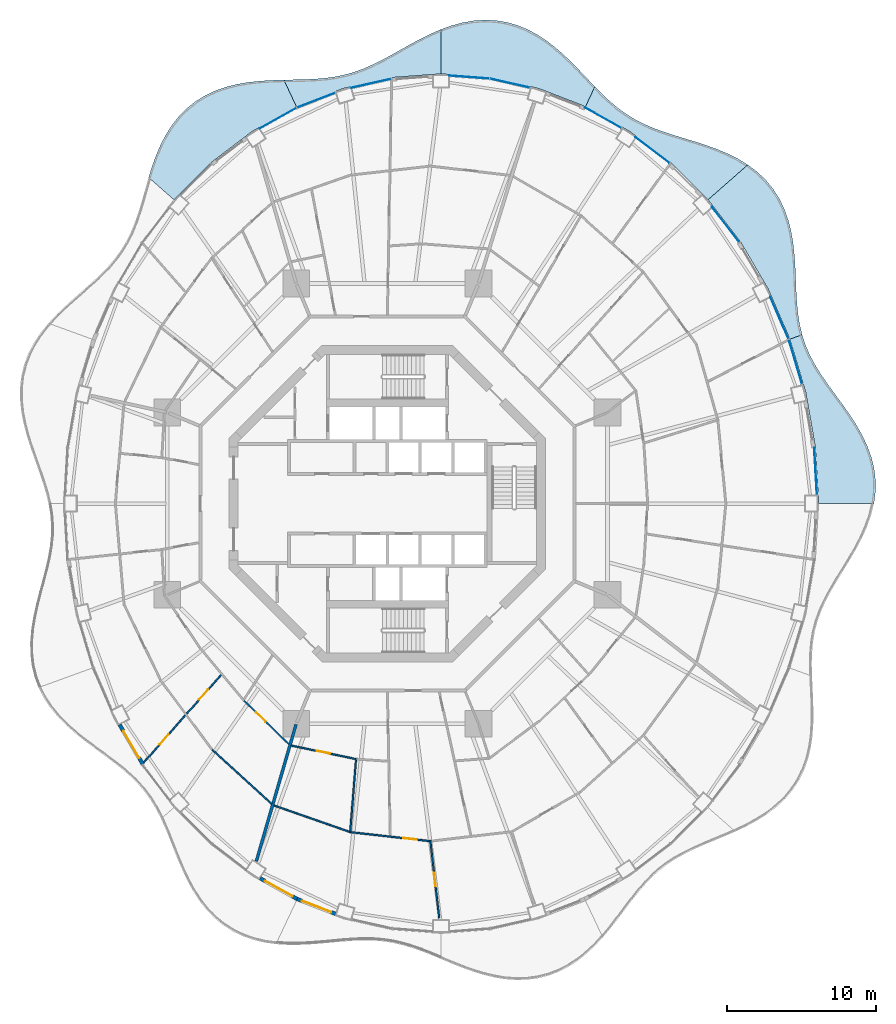
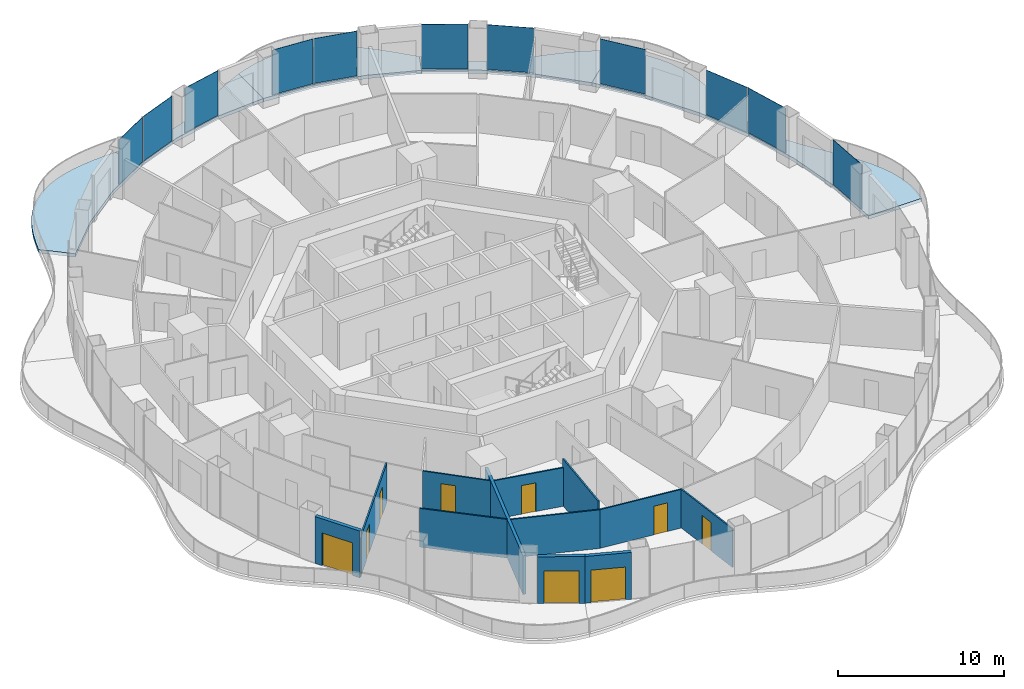
# One storey, part 10 of 19: 12 walls, 11 plates, 9 doors, 6 slabs, 9 openings, 11 elements without a shape of their own.
"""IFC4 building model written with IfcOpenShell, lengths in metres."""

from ifc_helpers import new_model, si_unit, direction, frame, frame_2d, origin, origin_2d, place, context, subcontext, project, spatial, polyline, rectangle, outline, extrude, material, layer, layer_set, type_object, element, fill, aggregate, save


model = new_model("IFC4")

# Units and contexts
model_context = context("Model", 3, precision=1e-05, world=origin(), true_north=direction((0.0, 1.0)))
body_context = subcontext(model_context, "Body", "Model", "MODEL_VIEW")
ifc_project = project(units=[si_unit("LENGTHUNIT", "METRE"), si_unit("AREAUNIT", "SQUARE_METRE"), si_unit("VOLUMEUNIT", "CUBIC_METRE"), si_unit("PLANEANGLEUNIT", "RADIAN"), si_unit("MASSUNIT", "GRAM", prefix="KILO")], contexts=[model_context])

# Site, building, storey
site_placement = place(None, origin())
site = spatial("IfcSite", under=ifc_project, at=site_placement, CompositionType="ELEMENT")
building_placement = place(site_placement, origin())
building = spatial("IfcBuilding", under=site, at=building_placement, Name="Nagisa Residences", CompositionType="ELEMENT")
storey_placement = place(building_placement, frame((0.0, 0.0, 184.39990234375)))
storey = spatial("IfcBuildingStorey", under=building, at=storey_placement, Name="L46", CompositionType="ELEMENT", Elevation=184.39990234375)

# Slabs
ifc_material_1 = material(Name="Concrete C40/50", Category="concrete")
ifc_layer_1 = layer(ifc_material_1, 0.25)
ifc_layer_set_1 = layer_set([ifc_layer_1], Name="BALCONY SLAB 250")
slab_type = type_object("IfcSlabType", Name="BALCONY SLAB 250", PredefinedType="FLOOR", material=ifc_layer_set_1)
slab_1_placement = place(storey_placement, frame((0.0, 0.0, -0.25)))
element("IfcSlab", 1, at=slab_1_placement, inside=storey, type_object=slab_type, Name="slab:L46:bal00", PredefinedType="FLOOR", context=body_context, shape_type="SweptSolid", body=[
    extrude(outline(polyline([(32.6845703125, 0.0), (32.785888671875, 0.78662109375), (32.79052734375, 1.573974609375), (32.697021484375, 2.35693359375), (32.508544921875, 3.129638671875), (32.232421875, 3.88818359375), (31.880615234375, 4.62841796875), (31.467529296875, 5.348388671875), (31.010986328125, 6.0478515625), (30.529541015625, 6.72802734375), (30.04248046875, 7.39208984375), (29.568359375, 8.044189453125), (29.123291015625, 8.690185546875), (28.721923828125, 9.3369140625), (28.3740234375, 9.990966796875), (28.0859375, 10.6591796875), (27.85986328125, 11.34716796875), (27.04345703125, 11.050048828125), (28.1103515625, 7.473388671875), (28.7578125, 3.76904296875), (28.97509765625, 0.0), (32.6845703125, 0.0)])), origin(), (0.0, 0.0, 1.0), 0.25),
])
slab_2_placement = place(storey_placement, frame((0.0, 0.0, -0.25)))
element("IfcSlab", 2, at=slab_2_placement, inside=storey, type_object=slab_type, Name="slab:L46:bal01", PredefinedType="FLOOR", context=body_context, shape_type="SweptSolid", body=[
    extrude(outline(polyline([(27.85986328125, 11.34716796875), (27.697509765625, 12.037109375), (27.584716796875, 12.75244140625), (27.511962890625, 13.493896484375), (27.466796875, 14.260009765625), (27.434814453125, 15.047119140625), (27.400390625, 15.849609375), (27.34765625, 16.660400390625), (27.2607421875, 17.47021484375), (27.125732421875, 18.26904296875), (26.930419921875, 19.046630859375), (26.665771484375, 19.792236328125), (26.325439453125, 20.49658203125), (25.9072265625, 21.151123046875), (25.412109375, 21.74951171875), (24.8447265625, 22.287353515625), (24.212646484375, 22.763916015625), (21.542724609375, 20.417724609375), (23.7314453125, 17.577880859375), (25.575439453125, 14.4375), (27.04345703125, 11.050048828125), (27.85986328125, 11.34716796875)])), origin(), (0.0, 0.0, 1.0), 0.25),
])
slab_3_placement = place(storey_placement, frame((0.0, 0.0, -0.25)))
element("IfcSlab", 3, at=slab_3_placement, inside=storey, type_object=slab_type, Name="slab:L46:bal02", PredefinedType="FLOOR", context=body_context, shape_type="SweptSolid", body=[
    extrude(outline(polyline([(24.212646484375, 22.763916015625), (23.55908203125, 23.161865234375), (22.86669921875, 23.50927734375), (22.146484375, 23.811767578125), (21.41064453125, 24.077880859375), (20.670654296875, 24.317138671875), (19.937255859375, 24.540771484375), (19.219482421875, 24.760498046875), (18.525146484375, 24.98779296875), (17.85888671875, 25.233642578125), (17.22412109375, 25.508056640625), (16.620849609375, 25.819091796875), (16.046875, 26.171630859375), (15.498291015625, 26.569091796875), (14.969482421875, 27.01123046875), (14.45263671875, 27.494384765625), (13.93994140625, 28.012451171875), (13.310546875, 26.677001953125), (16.28759765625, 25.006591796875), (19.04736328125, 22.907958984375), (21.542724609375, 20.417724609375), (24.212646484375, 22.763916015625)])), origin(), (0.0, 0.0, 1.0), 0.25),
])
slab_4_placement = place(storey_placement, frame((0.0, 0.0, -0.25)))
element("IfcSlab", 4, at=slab_4_placement, inside=storey, type_object=slab_type, Name="slab:L46:bal03", PredefinedType="FLOOR", context=body_context, shape_type="SweptSolid", body=[
    extrude(outline(polyline([(13.93994140625, 28.012451171875), (13.4423828125, 28.536376953125), (12.933837890625, 29.07373046875), (12.407958984375, 29.61279296875), (11.859375, 30.14013671875), (11.284423828125, 30.642578125), (10.6806640625, 31.106201171875), (10.04736328125, 31.5185546875), (9.3857421875, 31.8681640625), (8.6982421875, 32.14599609375), (7.989501953125, 32.3447265625), (7.26416015625, 32.46044921875), (6.528076171875, 32.491943359375), (5.7880859375, 32.44140625), (5.049560546875, 32.313232421875), (4.318603515625, 32.11572265625), (3.60009765625, 31.85888671875), (3.60009765625, 28.875), (6.912109375, 28.6279296875), (10.16748046875, 27.89111328125), (13.310546875, 26.677001953125), (13.93994140625, 28.012451171875)])), origin(), (0.0, 0.0, 1.0), 0.25),
])
slab_5_placement = place(storey_placement, frame((0.0, 0.0, -0.25)))
element("IfcSlab", 5, at=slab_5_placement, inside=storey, type_object=slab_type, Name="slab:L46:bal04", PredefinedType="FLOOR", context=body_context, shape_type="SweptSolid", body=[
    extrude(outline(polyline([(3.60009765625, 31.85888671875), (2.89697265625, 31.5546875), (2.212158203125, 31.216552734375), (1.5458984375, 30.858642578125), (0.897216796875, 30.4951171875), (0.263916015625, 30.13916015625), (-0.357666015625, 29.802978515625), (-0.97216796875, 29.496826171875), (-1.5849609375, 29.228515625), (-2.201416015625, 29.003173828125), (-2.826904296875, 28.822998046875), (-3.46630859375, 28.6875), (-4.12353515625, 28.5927734375), (-4.80078125, 28.532470703125), (-5.4990234375, 28.49853515625), (-6.217529296875, 28.480224609375), (-6.95361328125, 28.4658203125), (-6.110595703125, 26.677001953125), (-2.967529296875, 27.89111328125), (0.287841796875, 28.6279296875), (3.60009765625, 28.875), (3.60009765625, 31.85888671875)])), origin(), (0.0, 0.0, 1.0), 0.25),
])
slab_6_placement = place(storey_placement, frame((0.0, 0.0, -0.25)))
element("IfcSlab", 6, at=slab_6_placement, inside=storey, type_object=slab_type, Name="slab:L46:bal05", PredefinedType="FLOOR", context=body_context, shape_type="SweptSolid", body=[
    extrude(outline(polyline([(-6.95361328125, 28.4658203125), (-7.731201171875, 28.44189453125), (-8.516357421875, 28.395263671875), (-9.300537109375, 28.312744140625), (-10.074951171875, 28.182373046875), (-10.829833984375, 27.99462890625), (-11.554931640625, 27.741455078125), (-12.241455078125, 27.418701171875), (-12.88134765625, 27.02392578125), (-13.468017578125, 26.558837890625), (-13.9970703125, 26.02685546875), (-14.467041015625, 25.4345703125), (-14.87841796875, 24.790283203125), (-15.234619140625, 24.1044921875), (-15.54150390625, 23.38818359375), (-15.806884765625, 22.65283203125), (-16.041259765625, 21.910400390625), (-14.3427734375, 20.417724609375), (-11.847412109375, 22.907958984375), (-9.08740234375, 25.006591796875), (-6.110595703125, 26.677001953125), (-6.95361328125, 28.4658203125)])), origin(), (0.0, 0.0, 1.0), 0.25),
])

# Curtain wall, plate
ifc_material_2 = material(Name="Concrete-coloured aluminium curtain wall system", Category="concrete")
ifc_layer_2 = layer(ifc_material_2, 0.159912109375)
ifc_layer_set_2 = layer_set([ifc_layer_2], Name="CW1 CURTAIN WALL")
curtain_wall_type = type_object("IfcCurtainWallType", Name="CW1 CURTAIN WALL", PredefinedType="NOTDEFINED", material=ifc_layer_set_2)
curtain_wall_1_placement = place(storey_placement, origin())
curtain_wall_1 = element("IfcCurtainWall", 7, at=curtain_wall_1_placement, inside=storey, type_object=curtain_wall_type, Name="cw:CW1:L46:00", PredefinedType="NOTDEFINED")
ifc_material_3 = material(Name="Clear laminated glass", Category="glass")
ifc_layer_3 = layer(ifc_material_3, 0.028076171875)
ifc_layer_set_3 = layer_set([ifc_layer_3], Name="CW1 GLASS PANEL")
plate_type = type_object("IfcPlateType", Name="CW1 GLASS PANEL", PredefinedType="CURTAIN_PANEL", material=ifc_layer_set_3)
plate_1_placement = place(storey_placement, frame((28.76904296875, 2.184326171875, 0.150146484375), z_axis=(0.0, 0.0, 1.0), x_axis=(-0.057503492216, 0.998345305184, 0.0)))
plate_1 = element("IfcPlate", 8, at=plate_1_placement, type_object=plate_type, Name="CW1 panel", PredefinedType="CURTAIN_PANEL", context=body_context, shape_type="SweptSolid", body=[
    extrude(rectangle(XDim=3.165283203125, YDim=0.028076171875, at=origin_2d()), origin(), (0.0, 0.0, 1.0), 3.2900390625),
])
aggregate(curtain_wall_1, [plate_1])

curtain_wall_2_placement = place(storey_placement, origin())
curtain_wall_2 = element("IfcCurtainWall", 9, at=curtain_wall_2_placement, inside=storey, type_object=curtain_wall_type, Name="cw:CW1:L46:02", PredefinedType="NOTDEFINED")
plate_2_placement = place(storey_placement, frame((27.4130859375, 9.531005859375, 0.150146484375), z_axis=(0.0, 0.0, 1.0), x_axis=(-0.285860274038, 0.958271310082, 0.0)))
plate_2 = element("IfcPlate", 10, at=plate_2_placement, type_object=plate_type, Name="CW1 panel", PredefinedType="CURTAIN_PANEL", context=body_context, shape_type="SweptSolid", body=[
    extrude(rectangle(XDim=3.122314453125, YDim=0.028076171875, at=origin_2d()), origin(), (0.0, 0.0, 1.0), 3.2900390625),
])
aggregate(curtain_wall_2, [plate_2])

curtain_wall_3_placement = place(storey_placement, origin())
curtain_wall_3 = element("IfcCurtainWall", 11, at=curtain_wall_3_placement, inside=storey, type_object=curtain_wall_type, Name="cw:CW1:L46:03", PredefinedType="NOTDEFINED")
plate_3_placement = place(storey_placement, frame((26.33349609375, 12.487060546875, 0.150146484375), z_axis=(0.0, 0.0, 1.0), x_axis=(-0.397635934147, 0.917543276295, 0.0)))
plate_3 = element("IfcPlate", 12, at=plate_3_placement, type_object=plate_type, Name="CW1 panel", PredefinedType="CURTAIN_PANEL", context=body_context, shape_type="SweptSolid", body=[
    extrude(rectangle(XDim=3.08203125, YDim=0.028076171875, at=origin_2d()), origin(), (0.0, 0.0, 1.0), 3.2900390625),
])
aggregate(curtain_wall_3, [plate_3])

curtain_wall_4_placement = place(storey_placement, origin())
curtain_wall_4 = element("IfcCurtainWall", 13, at=curtain_wall_4_placement, inside=storey, type_object=curtain_wall_type, Name="cw:CW1:L46:05", PredefinedType="NOTDEFINED")
plate_4_placement = place(storey_placement, frame((22.723388671875, 18.7548828125, 0.150146484375), z_axis=(0.0, 0.0, 1.0), x_axis=(-0.610429828235, 0.792070340816, 0.0)))
plate_4 = element("IfcPlate", 14, at=plate_4_placement, type_object=plate_type, Name="CW1 panel", PredefinedType="CURTAIN_PANEL", context=body_context, shape_type="SweptSolid", body=[
    extrude(rectangle(XDim=2.97509765625, YDim=0.028076171875, at=origin_2d()), origin(), (0.0, 0.0, 1.0), 3.2900390625),
])
aggregate(curtain_wall_4, [plate_4])

curtain_wall_5_placement = place(storey_placement, origin())
curtain_wall_5 = element("IfcCurtainWall", 15, at=curtain_wall_5_placement, inside=storey, type_object=curtain_wall_type, Name="cw:CW1:L46:07", PredefinedType="NOTDEFINED")
plate_5_placement = place(storey_placement, frame((17.81396484375, 23.745361328125, 0.150146484375), z_axis=(0.0, 0.0, 1.0), x_axis=(-0.79603132756, 0.605255421737, 0.0)))
plate_5 = element("IfcPlate", 16, at=plate_5_placement, type_object=plate_type, Name="CW1 panel", PredefinedType="CURTAIN_PANEL", context=body_context, shape_type="SweptSolid", body=[
    extrude(rectangle(XDim=2.85693359375, YDim=0.028076171875, at=origin_2d()), origin(), (0.0, 0.0, 1.0), 3.2900390625),
])
aggregate(curtain_wall_5, [plate_5])

curtain_wall_6_placement = place(storey_placement, origin())
curtain_wall_6 = element("IfcCurtainWall", 17, at=curtain_wall_6_placement, inside=storey, type_object=curtain_wall_type, Name="cw:CW1:L46:08", PredefinedType="NOTDEFINED")
plate_6_placement = place(storey_placement, frame((14.493896484375, 25.921142578125, 0.150146484375), z_axis=(0.0, 0.0, 1.0), x_axis=(-0.872072377523, 0.489376918501, 0.0)))
plate_6 = element("IfcPlate", 18, at=plate_6_placement, type_object=plate_type, Name="CW1 panel", PredefinedType="CURTAIN_PANEL", context=body_context, shape_type="SweptSolid", body=[
    extrude(rectangle(XDim=2.8037109375, YDim=0.028076171875, at=origin_2d()), origin(), (0.0, 0.0, 1.0), 3.2900390625),
])
aggregate(curtain_wall_6, [plate_6])

curtain_wall_7_placement = place(storey_placement, origin())
curtain_wall_7 = element("IfcCurtainWall", 19, at=curtain_wall_7_placement, inside=storey, type_object=curtain_wall_type, Name="cw:CW1:L46:10", PredefinedType="NOTDEFINED")
plate_7_placement = place(storey_placement, frame((8.224609375, 28.248779296875, 0.150146484375), z_axis=(0.0, 0.0, 1.0), x_axis=(-0.975327274089, 0.2207639201, 0.0)))
plate_7 = element("IfcPlate", 20, at=plate_7_placement, type_object=plate_type, Name="CW1 panel", PredefinedType="CURTAIN_PANEL", context=body_context, shape_type="SweptSolid", body=[
    extrude(rectangle(XDim=2.727783203125, YDim=0.028076171875, at=origin_2d()), origin(), (0.0, 0.0, 1.0), 3.2900390625),
])
aggregate(curtain_wall_7, [plate_7])

curtain_wall_8_placement = place(storey_placement, origin())
curtain_wall_8 = element("IfcCurtainWall", 21, at=curtain_wall_8_placement, inside=storey, type_object=curtain_wall_type, Name="cw:CW1:L46:11", PredefinedType="NOTDEFINED")
plate_8_placement = place(storey_placement, frame((5.494384765625, 28.653564453125, 0.150146484375), z_axis=(0.0, 0.0, 1.0), x_axis=(-0.997230168512, 0.074377355493, 0.0)))
plate_8 = element("IfcPlate", 22, at=plate_8_placement, type_object=plate_type, Name="CW1 panel", PredefinedType="CURTAIN_PANEL", context=body_context, shape_type="SweptSolid", body=[
    extrude(rectangle(XDim=2.711181640625, YDim=0.028076171875, at=origin_2d()), origin(), (0.0, 0.0, 1.0), 3.2900390625),
])
aggregate(curtain_wall_8, [plate_8])

curtain_wall_9_placement = place(storey_placement, origin())
curtain_wall_9 = element("IfcCurtainWall", 23, at=curtain_wall_9_placement, inside=storey, type_object=curtain_wall_type, Name="cw:CW1:L46:13", PredefinedType="NOTDEFINED")
plate_9_placement = place(storey_placement, frame((-1.083251953125, 28.235595703125, 0.150146484375), z_axis=(0.0, 0.0, 1.0), x_axis=(-0.975327274089, -0.2207639201, 0.0)))
plate_9 = element("IfcPlate", 24, at=plate_9_placement, type_object=plate_type, Name="CW1 panel", PredefinedType="CURTAIN_PANEL", context=body_context, shape_type="SweptSolid", body=[
    extrude(rectangle(XDim=2.727783203125, YDim=0.028076171875, at=origin_2d()), origin(), (0.0, 0.0, 1.0), 3.2900390625),
])
aggregate(curtain_wall_9, [plate_9])

curtain_wall_10_placement = place(storey_placement, origin())
curtain_wall_10 = element("IfcCurtainWall", 25, at=curtain_wall_10_placement, inside=storey, type_object=curtain_wall_type, Name="cw:CW1:L46:14", PredefinedType="NOTDEFINED")
plate_10_placement = place(storey_placement, frame((-4.794677734375, 27.099609375, 0.150146484375), z_axis=(0.0, 0.0, 1.0), x_axis=(-0.932825759707, -0.360327770268, 0.0)))
plate_10 = element("IfcPlate", 26, at=plate_10_placement, type_object=plate_type, Name="CW1 panel", PredefinedType="CURTAIN_PANEL", context=body_context, shape_type="SweptSolid", body=[
    extrude(rectangle(XDim=2.75927734375, YDim=0.028076171875, at=origin_2d()), origin(), (0.0, 0.0, 1.0), 3.2900390625),
])
aggregate(curtain_wall_10, [plate_10])

curtain_wall_11_placement = place(storey_placement, origin())
curtain_wall_11 = element("IfcCurtainWall", 27, at=curtain_wall_11_placement, inside=storey, type_object=curtain_wall_type, Name="cw:CW1:L46:15", PredefinedType="NOTDEFINED")
plate_11_placement = place(storey_placement, frame((-7.34619140625, 25.891845703125, 0.150146484375), z_axis=(0.0, 0.0, 1.0), x_axis=(-0.872072377523, -0.489376918501, 0.0)))
plate_11 = element("IfcPlate", 28, at=plate_11_placement, type_object=plate_type, Name="CW1 panel", PredefinedType="CURTAIN_PANEL", context=body_context, shape_type="SweptSolid", body=[
    extrude(rectangle(XDim=2.8037109375, YDim=0.028076171875, at=origin_2d()), origin(), (0.0, 0.0, 1.0), 3.2900390625),
])
aggregate(curtain_wall_11, [plate_11])

# Wall
ifc_material_4 = material(Name="Gypsum board on steel studs", Category="steel")
ifc_layer_4 = layer(ifc_material_4, 0.199951171875)
ifc_layer_set_4 = layer_set([ifc_layer_4], Name="Apartment compartment wall EI60 200")
wall_type_1 = type_object("IfcWallType", Name="Apartment compartment wall EI60 200", PredefinedType="PARTITIONING", material=ifc_layer_set_4)
wall_1_placement = place(storey_placement, frame((-6.136962890625, -14.830078125, 0.0), z_axis=(0.0, 0.0, 1.0), x_axis=(-0.278461169897, -0.96044748782, 0.0)))
element("IfcWall", 29, at=wall_1_placement, inside=storey, type_object=wall_type_1, Name="wall:L46:u07", PredefinedType="PARTITIONING", context=body_context, shape_type="SweptSolid", body=[
    extrude(rectangle(XDim=9.5732421875, YDim=0.199951171875, at=frame_2d((4.78662109375, 0.0))), origin(), (0.0, 0.0, 1.0), 2.837158203125),
])

# Wall, openings, doors
ifc_material_5 = material(Name="Gypsum board on steel studs", Category="steel")
ifc_layer_5 = layer(ifc_material_5, 0.10009765625)
ifc_layer_set_5 = layer_set([ifc_layer_5], Name="Apartment partition 100")
wall_type_2 = type_object("IfcWallType", Name="Apartment partition 100", PredefinedType="PARTITIONING", material=ifc_layer_set_5)
wall_2_placement = place(storey_placement, frame((-11.16015625, -11.485107421875, 0.0), z_axis=(0.0, 0.0, 1.0), x_axis=(-0.661275898802, -0.750142776852, 0.0)))
wall_2 = element("IfcWall", 30, at=wall_2_placement, inside=storey, type_object=wall_type_2, Name="wall:L46:u68", PredefinedType="PARTITIONING", context=body_context, shape_type="SweptSolid", body=[
    extrude(rectangle(XDim=8.08251953125, YDim=0.10009765625, at=frame_2d((4.041259765625, 0.0))), origin(), (0.0, 0.0, 1.0), 2.905029296875),
])
opening_1_placement = place(wall_2_placement, frame((1.34130859375, 0.0, 0.0)))
opening_1 = element("IfcOpeningElement", 31, at=opening_1_placement, cuts=wall_2, Name="Opening L46-U14", PredefinedType="OPENING", context=body_context, shape_type="SweptSolid", body=[
    extrude(rectangle(XDim=0.89990234375, YDim=2.10009765625, at=frame_2d((0.449951171875, 1.050048828125))), frame((0.0, 0.06005859375, 0.0), z_axis=(0.0, -1.0, 0.0), x_axis=(1.0, 0.0, 0.0)), (0.0, 0.0, 1.0), 0.1201171875),
])
opening_2_placement = place(wall_2_placement, frame((5.38232421875, 0.0, 0.0)))
opening_2 = element("IfcOpeningElement", 32, at=opening_2_placement, cuts=wall_2, Name="Opening L46-U17", PredefinedType="OPENING", context=body_context, shape_type="SweptSolid", body=[
    extrude(rectangle(XDim=0.89990234375, YDim=2.10009765625, at=frame_2d((0.449951171875, 1.050048828125))), frame((0.0, 0.06005859375, 0.0), z_axis=(0.0, -1.0, 0.0), x_axis=(1.0, 0.0, 0.0)), (0.0, 0.0, 1.0), 0.1201171875),
])
ifc_material_6 = material(Name="Timber door set", Category="wood")
door_type_1 = type_object("IfcDoorType", Name="Apartment door 900x2100", OperationType="NOTDEFINED", PredefinedType="DOOR", material=ifc_material_6)
door_1_placement = place(opening_1_placement, origin())
door_1 = element("IfcDoor", 33, at=door_1_placement, inside=storey, type_object=door_type_1, Name="Door to study, Apartment 46B", OperationType="SINGLE_SWING_RIGHT", OverallHeight=2.10009765625, OverallWidth=0.89990234375, PredefinedType="DOOR", context=body_context, shape_type="SweptSolid", body=[
    extrude(rectangle(XDim=0.89990234375, YDim=2.10009765625, at=frame_2d((0.449951171875, 1.050048828125))), frame((0.0, 0.02490234375, 0.0), z_axis=(0.0, -1.0, 0.0), x_axis=(1.0, 0.0, 0.0)), (0.0, 0.0, 1.0), 0.050048828125),
])
fill(opening_1, door_1)
door_2_placement = place(opening_2_placement, origin())
door_2 = element("IfcDoor", 34, at=door_2_placement, inside=storey, type_object=door_type_1, Name="Door to master bedroom, Apartment 46B", OperationType="SINGLE_SWING_LEFT", OverallHeight=2.10009765625, OverallWidth=0.89990234375, PredefinedType="DOOR", context=body_context, shape_type="SweptSolid", body=[
    extrude(rectangle(XDim=0.89990234375, YDim=2.10009765625, at=frame_2d((0.449951171875, 1.050048828125))), frame((0.0, 0.02490234375, 0.0), z_axis=(0.0, -1.0, 0.0), x_axis=(1.0, 0.0, 0.0)), (0.0, 0.0, 1.0), 0.050048828125),
])
fill(opening_2, door_2)

# Wall, opening, door
wall_3_placement = place(storey_placement, frame((-9.62744140625, -13.238037109375, 0.0), z_axis=(0.0, 0.0, 1.0), x_axis=(0.716919058692, -0.697156412352, 0.0)))
wall_3 = element("IfcWall", 35, at=wall_3_placement, inside=storey, type_object=wall_type_2, Name="wall:L46:u70", PredefinedType="PARTITIONING", context=body_context, shape_type="SweptSolid", body=[
    extrude(rectangle(XDim=4.2001953125, YDim=0.10009765625, at=frame_2d((2.10009765625, 0.0))), origin(), (0.0, 0.0, 1.0), 2.837158203125),
])
opening_3_placement = place(wall_3_placement, frame((1.130126953125, 0.0, 0.0)))
opening_3 = element("IfcOpeningElement", 36, at=opening_3_placement, cuts=wall_3, Name="Opening L46-U19", PredefinedType="OPENING", context=body_context, shape_type="SweptSolid", body=[
    extrude(rectangle(XDim=0.89990234375, YDim=2.10009765625, at=frame_2d((0.449951171875, 1.050048828125))), frame((0.0, 0.06005859375, 0.0), z_axis=(0.0, -1.0, 0.0), x_axis=(1.0, 0.0, 0.0)), (0.0, 0.0, 1.0), 0.1201171875),
])
door_3_placement = place(opening_3_placement, origin())
door_3 = element("IfcDoor", 37, at=door_3_placement, inside=storey, type_object=door_type_1, Name="Door to laundry, Apartment 46B", OperationType="SINGLE_SWING_LEFT", OverallHeight=2.10009765625, OverallWidth=0.89990234375, PredefinedType="DOOR", context=body_context, shape_type="SweptSolid", body=[
    extrude(rectangle(XDim=0.89990234375, YDim=2.10009765625, at=frame_2d((0.449951171875, 1.050048828125))), frame((0.0, 0.02490234375, 0.0), z_axis=(0.0, -1.0, 0.0), x_axis=(1.0, 0.0, 0.0)), (0.0, 0.0, 1.0), 0.050048828125),
])
fill(opening_3, door_3)

# Wall
wall_4_placement = place(storey_placement, frame((-11.765625, -16.534912109375, 0.0), z_axis=(0.0, 0.0, 1.0), x_axis=(0.73807320557, -0.674720640872, 0.0)))
element("IfcWall", 38, at=wall_4_placement, inside=storey, type_object=wall_type_2, Name="wall:L46:u71", PredefinedType="PARTITIONING", context=body_context, shape_type="SweptSolid", body=[
    extrude(rectangle(XDim=5.39892578125, YDim=0.10009765625, at=frame_2d((2.699462890625, 0.0))), origin(), (0.0, 0.0, 1.0), 2.837158203125),
])

# Wall, opening, door
wall_5_placement = place(storey_placement, frame((-6.446533203125, -16.25634765625, 0.0), z_axis=(0.0, 0.0, 1.0), x_axis=(0.978906251581, -0.204309937631, 0.0)))
wall_5 = element("IfcWall", 39, at=wall_5_placement, inside=storey, type_object=wall_type_2, Name="wall:L46:u72", PredefinedType="PARTITIONING", context=body_context, shape_type="SweptSolid", body=[
    extrude(rectangle(XDim=4.385498046875, YDim=0.10009765625, at=frame_2d((2.19287109375, 0.0))), origin(), (0.0, 0.0, 1.0), 2.837158203125),
])
opening_4_placement = place(wall_5_placement, frame((1.742919921875, 0.0, 0.0)))
opening_4 = element("IfcOpeningElement", 40, at=opening_4_placement, cuts=wall_5, Name="Opening L46-U23", PredefinedType="OPENING", context=body_context, shape_type="SweptSolid", body=[
    extrude(rectangle(XDim=0.89990234375, YDim=2.10009765625, at=frame_2d((0.449951171875, 1.050048828125))), frame((0.0, 0.06005859375, 0.0), z_axis=(0.0, -1.0, 0.0), x_axis=(1.0, 0.0, 0.0)), (0.0, 0.0, 1.0), 0.1201171875),
])
door_4_placement = place(opening_4_placement, frame((0.89990234375, 0.0, 0.0), x_axis=(-1.0, 0.0, 0.0)))
door_4 = element("IfcDoor", 41, at=door_4_placement, inside=storey, type_object=door_type_1, Name="Door to study, Apartment 46C", OperationType="SINGLE_SWING_RIGHT", OverallHeight=2.10009765625, OverallWidth=0.89990234375, PredefinedType="DOOR", context=body_context, shape_type="SweptSolid", body=[
    extrude(rectangle(XDim=0.89990234375, YDim=2.10009765625, at=frame_2d((0.449951171875, 1.050048828125))), frame((0.0, 0.02490234375, 0.0), z_axis=(0.0, -1.0, 0.0), x_axis=(1.0, 0.0, 0.0)), (0.0, 0.0, 1.0), 0.050048828125),
])
fill(opening_4, door_4)

# Walls
wall_6_placement = place(storey_placement, frame((-7.612548828125, -20.2783203125, 0.0), z_axis=(0.0, 0.0, 1.0), x_axis=(0.943918212431, -0.330179357684, 0.0)))
element("IfcWall", 42, at=wall_6_placement, inside=storey, type_object=wall_type_2, Name="wall:L46:u73", PredefinedType="PARTITIONING", context=body_context, shape_type="SweptSolid", body=[
    extrude(rectangle(XDim=5.46728515625, YDim=0.10009765625, at=frame_2d((2.733642578125, 0.0))), origin(), (0.0, 0.0, 1.0), 2.837158203125),
])
wall_7_placement = place(storey_placement, frame((-2.1005859375, -17.11279296875, 0.0), z_axis=(0.0, 0.0, 1.0), x_axis=(-0.080183022299, -0.996780157776, 0.0)))
element("IfcWall", 43, at=wall_7_placement, inside=storey, type_object=wall_type_2, Name="wall:L46:u74", PredefinedType="PARTITIONING", context=body_context, shape_type="SweptSolid", body=[
    extrude(rectangle(XDim=4.92041015625, YDim=0.10009765625, at=frame_2d((2.460205078125, 0.0))), origin(), (0.0, 0.0, 1.0), 3.440185546875),
])

# Wall, opening, door
wall_8_placement = place(storey_placement, frame((-2.449462890625, -22.07275390625, 0.0), z_axis=(0.0, 0.0, 1.0), x_axis=(0.993660315081, -0.112424099879, 0.0)))
wall_8 = element("IfcWall", 44, at=wall_8_placement, inside=storey, type_object=wall_type_2, Name="wall:L46:u76", PredefinedType="PARTITIONING", context=body_context, shape_type="SweptSolid", body=[
    extrude(rectangle(XDim=5.32470703125, YDim=0.10009765625, at=frame_2d((2.662353515625, 0.0))), origin(), (0.0, 0.0, 1.0), 2.837158203125),
])
opening_5_placement = place(wall_8_placement, frame((3.543701171875, 0.0, 0.0)))
opening_5 = element("IfcOpeningElement", 45, at=opening_5_placement, cuts=wall_8, Name="Opening L46-U27", PredefinedType="OPENING", context=body_context, shape_type="SweptSolid", body=[
    extrude(rectangle(XDim=0.89990234375, YDim=2.10009765625, at=frame_2d((0.449951171875, 1.050048828125))), frame((0.0, 0.06005859375, 0.0), z_axis=(0.0, -1.0, 0.0), x_axis=(1.0, 0.0, 0.0)), (0.0, 0.0, 1.0), 0.1201171875),
])
door_5_placement = place(opening_5_placement, frame((0.89990234375, 0.0, 0.0), x_axis=(-1.0, 0.0, 0.0)))
door_5 = element("IfcDoor", 46, at=door_5_placement, inside=storey, type_object=door_type_1, Name="Door to living room, Apartment 46C", OperationType="SINGLE_SWING_RIGHT", OverallHeight=2.10009765625, OverallWidth=0.89990234375, PredefinedType="DOOR", context=body_context, shape_type="SweptSolid", body=[
    extrude(rectangle(XDim=0.89990234375, YDim=2.10009765625, at=frame_2d((0.449951171875, 1.050048828125))), frame((0.0, 0.02490234375, 0.0), z_axis=(0.0, -1.0, 0.0), x_axis=(1.0, 0.0, 0.0)), (0.0, 0.0, 1.0), 0.050048828125),
])
fill(opening_5, door_5)

wall_9_placement = place(storey_placement, frame((2.885498046875, -22.62744140625, 0.0), z_axis=(0.0, 0.0, 1.0), x_axis=(0.113634556485, -0.993522615531, 0.0)))
wall_9 = element("IfcWall", 47, at=wall_9_placement, inside=storey, type_object=wall_type_2, Name="wall:L46:u78", PredefinedType="PARTITIONING", context=body_context, shape_type="SweptSolid", body=[
    extrude(rectangle(XDim=5.244384765625, YDim=0.10009765625, at=frame_2d((2.6220703125, 0.0))), origin(), (0.0, 0.0, 1.0), 2.837158203125),
])
opening_6_placement = place(wall_9_placement, frame((2.197265625, 0.0, 0.0)))
opening_6 = element("IfcOpeningElement", 48, at=opening_6_placement, cuts=wall_9, Name="Opening L46-U28", PredefinedType="OPENING", context=body_context, shape_type="SweptSolid", body=[
    extrude(rectangle(XDim=0.89990234375, YDim=2.10009765625, at=frame_2d((0.449951171875, 1.050048828125))), frame((0.0, 0.06005859375, 0.0), z_axis=(0.0, -1.0, 0.0), x_axis=(1.0, 0.0, 0.0)), (0.0, 0.0, 1.0), 0.1201171875),
])
door_6_placement = place(opening_6_placement, origin())
door_6 = element("IfcDoor", 49, at=door_6_placement, inside=storey, type_object=door_type_1, Name="Door to bedroom, Apartment 46C", OperationType="SINGLE_SWING_RIGHT", OverallHeight=2.10009765625, OverallWidth=0.89990234375, PredefinedType="DOOR", context=body_context, shape_type="SweptSolid", body=[
    extrude(rectangle(XDim=0.89990234375, YDim=2.10009765625, at=frame_2d((0.449951171875, 1.050048828125))), frame((0.0, 0.02490234375, 0.0), z_axis=(0.0, -1.0, 0.0), x_axis=(1.0, 0.0, 0.0)), (0.0, 0.0, 1.0), 0.050048828125),
])
fill(opening_6, door_6)

ifc_material_7 = material(Name="Precast concrete C40/50", Category="concrete")
ifc_layer_6 = layer(ifc_material_7, 0.25)
ifc_layer_set_6 = layer_set([ifc_layer_6], Name="BALCONY DOOR WALL 250")
wall_type_3 = type_object("IfcWallType", Name="BALCONY DOOR WALL 250", PredefinedType="SOLIDWALL", material=ifc_layer_set_6)
wall_10_placement = place(storey_placement, frame((-16.423583984375, -17.5146484375, 0.0), z_axis=(0.0, 0.0, 1.0), x_axis=(-0.506309086483, 0.862352079458, 0.0)))
wall_10 = element("IfcWall", 50, at=wall_10_placement, inside=storey, type_object=wall_type_3, Name="wall:L46:bay28", PredefinedType="SOLIDWALL", context=body_context, shape_type="SweptSolid", body=[
    extrude(rectangle(XDim=3.091796875, YDim=0.25, at=frame_2d((1.5458984375, 0.0))), origin(), (0.0, 0.0, 1.0), 3.440185546875),
])
opening_7_placement = place(wall_10_placement, frame((0.495849609375, 0.0, 0.0)))
opening_7 = element("IfcOpeningElement", 51, at=opening_7_placement, cuts=wall_10, Name="Opening BD-L46-10", PredefinedType="OPENING", context=body_context, shape_type="SweptSolid", body=[
    extrude(rectangle(XDim=2.10009765625, YDim=2.39990234375, at=frame_2d((1.050048828125, 1.199951171875))), frame((0.0, 0.135009765625, 0.0), z_axis=(0.0, -1.0, 0.0), x_axis=(1.0, 0.0, 0.0)), (0.0, 0.0, 1.0), 0.27001953125),
])
ifc_material_8 = material(Name="Aluminium and clear glass", Category="aluminium")
door_type_2 = type_object("IfcDoorType", Name="BALCONY SLIDING DOOR 2100x2400", OperationType="SLIDING_TO_LEFT", PredefinedType="DOOR", material=ifc_material_8)
door_7_placement = place(opening_7_placement, origin())
door_7 = element("IfcDoor", 52, at=door_7_placement, inside=storey, type_object=door_type_2, Name="door:L46:bay28", OperationType="SLIDING_TO_LEFT", OverallHeight=2.39990234375, OverallWidth=2.10009765625, PredefinedType="DOOR", context=body_context, shape_type="SweptSolid", body=[
    extrude(rectangle(XDim=2.10009765625, YDim=2.39990234375, at=frame_2d((1.050048828125, 1.199951171875))), frame((0.0, 0.02490234375, 0.0), z_axis=(0.0, -1.0, 0.0), x_axis=(1.0, 0.0, 0.0)), (0.0, 0.0, 1.0), 0.050048828125),
])
fill(opening_7, door_7)

wall_11_placement = place(storey_placement, frame((-6.04931640625, -26.568115234375, 0.0), z_axis=(0.0, 0.0, 1.0), x_axis=(-0.872078262455, 0.489366431371, 0.0)))
wall_11 = element("IfcWall", 53, at=wall_11_placement, inside=storey, type_object=wall_type_3, Name="wall:L46:bay32", PredefinedType="SOLIDWALL", context=body_context, shape_type="SweptSolid", body=[
    extrude(rectangle(XDim=2.863525390625, YDim=0.25, at=frame_2d((1.431640625, 0.0))), origin(), (0.0, 0.0, 1.0), 3.440185546875),
])
opening_8_placement = place(wall_11_placement, frame((0.3818359375, 0.0, 0.0)))
opening_8 = element("IfcOpeningElement", 54, at=opening_8_placement, cuts=wall_11, Name="Opening BD-L46-11", PredefinedType="OPENING", context=body_context, shape_type="SweptSolid", body=[
    extrude(rectangle(XDim=2.10009765625, YDim=2.39990234375, at=frame_2d((1.050048828125, 1.199951171875))), frame((0.0, 0.135009765625, 0.0), z_axis=(0.0, -1.0, 0.0), x_axis=(1.0, 0.0, 0.0)), (0.0, 0.0, 1.0), 0.27001953125),
])
door_8_placement = place(opening_8_placement, origin())
door_8 = element("IfcDoor", 55, at=door_8_placement, inside=storey, type_object=door_type_2, Name="door:L46:bay32", OperationType="SLIDING_TO_LEFT", OverallHeight=2.39990234375, OverallWidth=2.10009765625, PredefinedType="DOOR", context=body_context, shape_type="SweptSolid", body=[
    extrude(rectangle(XDim=2.10009765625, YDim=2.39990234375, at=frame_2d((1.050048828125, 1.199951171875))), frame((0.0, 0.02490234375, 0.0), z_axis=(0.0, -1.0, 0.0), x_axis=(1.0, 0.0, 0.0)), (0.0, 0.0, 1.0), 0.050048828125),
])
fill(opening_8, door_8)

wall_12_placement = place(storey_placement, frame((-3.435546875, -27.576416015625, 0.0), z_axis=(0.0, 0.0, 1.0), x_axis=(-0.932795487898, 0.360406128911, 0.0)))
wall_12 = element("IfcWall", 56, at=wall_12_placement, inside=storey, type_object=wall_type_3, Name="wall:L46:bay33", PredefinedType="SOLIDWALL", context=body_context, shape_type="SweptSolid", body=[
    extrude(rectangle(XDim=2.8193359375, YDim=0.25, at=frame_2d((1.40966796875, 0.0))), origin(), (0.0, 0.0, 1.0), 3.440185546875),
])
opening_9_placement = place(wall_12_placement, frame((0.359619140625, 0.0, 0.0)))
opening_9 = element("IfcOpeningElement", 57, at=opening_9_placement, cuts=wall_12, Name="Opening BD-L46-12", PredefinedType="OPENING", context=body_context, shape_type="SweptSolid", body=[
    extrude(rectangle(XDim=2.10009765625, YDim=2.39990234375, at=frame_2d((1.050048828125, 1.199951171875))), frame((0.0, 0.135009765625, 0.0), z_axis=(0.0, -1.0, 0.0), x_axis=(1.0, 0.0, 0.0)), (0.0, 0.0, 1.0), 0.27001953125),
])
door_9_placement = place(opening_9_placement, origin())
door_9 = element("IfcDoor", 58, at=door_9_placement, inside=storey, type_object=door_type_2, Name="door:L46:bay33", OperationType="SLIDING_TO_LEFT", OverallHeight=2.39990234375, OverallWidth=2.10009765625, PredefinedType="DOOR", context=body_context, shape_type="SweptSolid", body=[
    extrude(rectangle(XDim=2.10009765625, YDim=2.39990234375, at=frame_2d((1.050048828125, 1.199951171875))), frame((0.0, 0.02490234375, 0.0), z_axis=(0.0, -1.0, 0.0), x_axis=(1.0, 0.0, 0.0)), (0.0, 0.0, 1.0), 0.050048828125),
])
fill(opening_9, door_9)

save(model, "model.ifc")
